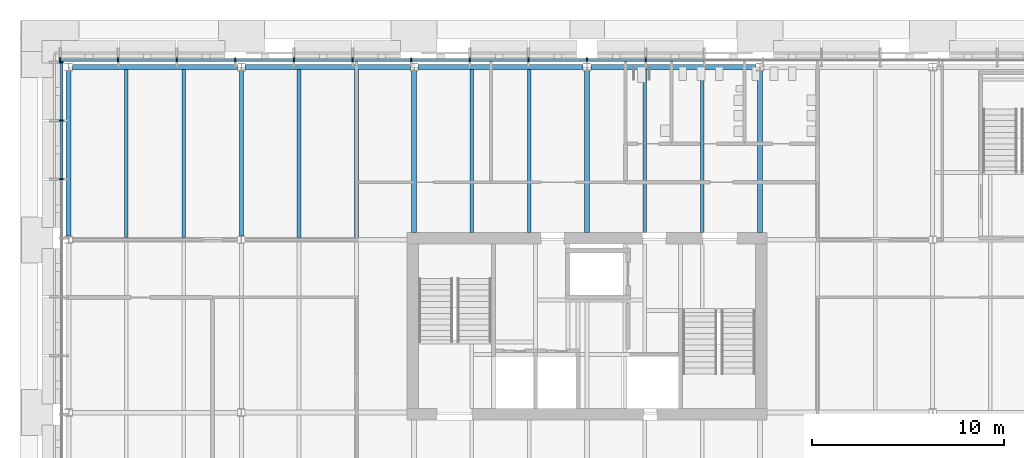
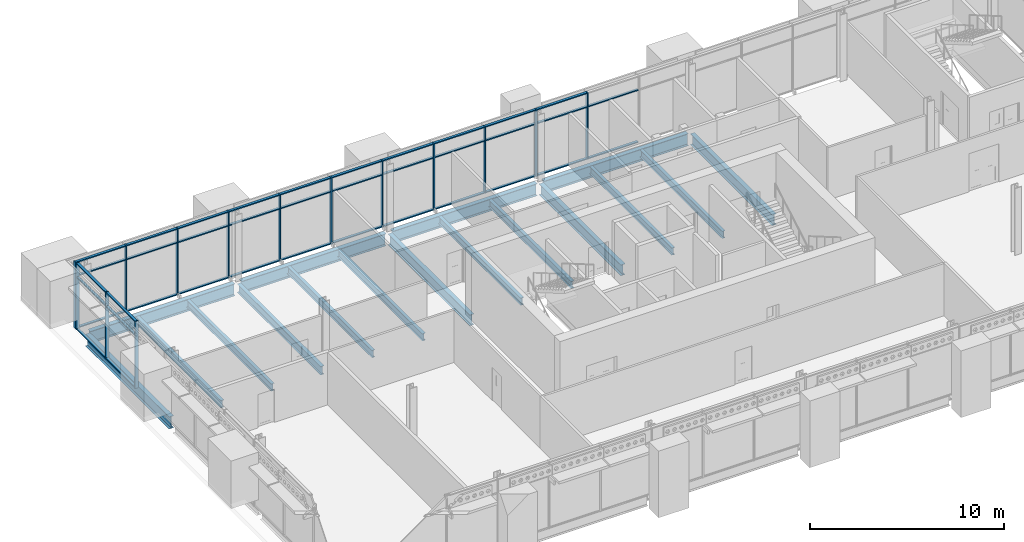
# One storey, part 86 of 153: 52 members, 17 beams, 2 elements without a shape of their own.
"""IFC4 building model written with IfcOpenShell, lengths in metres."""

import ifcopenshell
import ifcopenshell.guid

model = None  # the IFC model being written
_history = None  # IfcOwnerHistory: only IFC2X3 demands one
_inside = {}  # id of a spatial element -> (the spatial element, [elements in it])
_under = {}  # id of a project, library or spatial element -> (it, [spatial elements below it])
_declared = {}  # id of a project -> (the project, [libraries it declares])
_typed = {}  # id of a type object -> (the type object, [elements of that type])
_made_of = {}  # id of a material, layer set ... -> (it, [elements and type objects made of it])


def new_model(schema):
    """Start an empty IFC model of exactly this schema.

    Asked for "IFC4X3", IfcOpenShell would pick the latest addendum, in which some entities
    have other attributes; the version numbers below select the first issue.
    IFC2X3 requires an IfcOwnerHistory on every rooted entity: one is made here for all.
    """
    global model, _history
    if schema == "IFC4X3":
        model = ifcopenshell.file(schema_version=(4, 3, 0, 0))
    else:
        model = ifcopenshell.file(schema=schema)
    _inside.clear()
    _under.clear()
    _declared.clear()
    _typed.clear()
    _made_of.clear()
    _history = None
    if model.schema == "IFC2X3":
        org = make("IfcOrganization", Name="unknown")
        user = make(
            "IfcPersonAndOrganization",
            ThePerson=make("IfcPerson", FamilyName="unknown"),
            TheOrganization=org,
        )
        app = make(
            "IfcApplication",
            ApplicationDeveloper=org,
            Version="unknown",
            ApplicationFullName="unknown",
            ApplicationIdentifier="unknown",
        )
        _history = make(
            "IfcOwnerHistory",
            OwningUser=user,
            OwningApplication=app,
            ChangeAction="ADDED",
            CreationDate=0,
        )
    return model


def make(cls, **values):
    """One entity of the class cls with the attributes given. An attribute that is None is left unset."""
    return model.create_entity(
        cls, **{name: value for name, value in values.items() if value is not None}
    )


def rooted(cls, **values):
    """An entity with a GlobalId (a new one), such as an element, a storey or a relation."""
    return make(cls, GlobalId=ifcopenshell.guid.new(), OwnerHistory=_history, **values)


def si_unit(unit_type, name, prefix=None):
    """IfcSIUnit, for example si_unit("LENGTHUNIT", "METRE", prefix="MILLI")."""
    return make("IfcSIUnit", UnitType=unit_type, Prefix=prefix, Name=name)


def assignment(units):
    """IfcUnitAssignment: the units of a project."""
    return None if units is None else make("IfcUnitAssignment", Units=units)


def point(xyz):
    """IfcCartesianPoint."""
    return None if xyz is None else make("IfcCartesianPoint", Coordinates=xyz)


def direction(xyz):
    """IfcDirection."""
    return None if xyz is None else make("IfcDirection", DirectionRatios=xyz)


def frame(location, z_axis=None, x_axis=None):
    """IfcAxis2Placement3D, a coordinate frame: its origin and axes. An axis left out is left unset."""
    return make(
        "IfcAxis2Placement3D",
        Location=point(location),
        Axis=direction(z_axis),
        RefDirection=direction(x_axis),
    )


def frame_2d(location, x_axis=None):
    """IfcAxis2Placement2D, a coordinate frame in the plane: its origin and x axis."""
    return make(
        "IfcAxis2Placement2D", Location=point(location), RefDirection=direction(x_axis)
    )


def origin():
    """The frame at (0, 0, 0) with its axes left unset."""
    return frame((0.0, 0.0, 0.0))


def origin_2d():
    """The frame at (0, 0) in the plane with its x axis left unset."""
    return frame_2d((0.0, 0.0))


def place(relative_to, where):
    """IfcLocalPlacement: puts the frame where relative to a parent placement (None: the world)."""
    return make(
        "IfcLocalPlacement", PlacementRelTo=relative_to, RelativePlacement=where
    )


def context(
    kind, dimensions, precision=None, world=None, true_north=None, identifier=None
):
    """IfcGeometricRepresentationContext, for example the 3D "Model" context."""
    return make(
        "IfcGeometricRepresentationContext",
        ContextIdentifier=identifier,
        ContextType=kind,
        CoordinateSpaceDimension=dimensions,
        Precision=precision,
        WorldCoordinateSystem=world,
        TrueNorth=true_north,
    )


def subcontext(parent, identifier, kind, view, scale=None):
    """IfcGeometricRepresentationSubContext, for example "Body" below "Model"."""
    return make(
        "IfcGeometricRepresentationSubContext",
        ContextIdentifier=identifier,
        ContextType=kind,
        ParentContext=parent,
        TargetScale=scale,
        TargetView=view,
    )


def project(units=None, contexts=None):
    """IfcProject with its units and contexts."""
    return rooted(
        "IfcProject",
        Name="project",
        RepresentationContexts=contexts,
        UnitsInContext=assignment(units),
    )


def spatial(cls, under=None, at=None, **own):
    """A site, building, storey or space (cls), placed at a placement, below another one or the project."""
    s = rooted(cls, ObjectPlacement=at, **own)
    if under is not None:
        _under.setdefault(under.id(), (under, []))[1].append(s)
    return s


def profile(cls, at=None, kind="AREA", **sizes):
    """A parametric profile (cls). Its sizes go by their IFC names, for example OverallWidth=200.0."""
    return make(cls, ProfileType=kind, Position=at, **sizes)


def rectangle(**sizes):
    """IfcRectangleProfileDef."""
    return profile("IfcRectangleProfileDef", **sizes)


def i_section(**sizes):
    """IfcIShapeProfileDef."""
    return profile("IfcIShapeProfileDef", **sizes)


def extrude(swept, where, along, depth):
    """IfcExtrudedAreaSolid: the profile swept, set in the frame where, extruded along a direction by depth."""
    return make(
        "IfcExtrudedAreaSolid",
        SweptArea=swept,
        Position=where,
        ExtrudedDirection=direction(along),
        Depth=depth,
    )


def shape(context_of_items, identifier, shape_type, items):
    """IfcShapeRepresentation: the items that make up one representation, for example the "Body"."""
    return make(
        "IfcShapeRepresentation",
        ContextOfItems=context_of_items,
        RepresentationIdentifier=identifier,
        RepresentationType=shape_type,
        Items=items,
    )


def material(Name=None, Category=None):
    """IfcMaterial."""
    return make("IfcMaterial", Name=Name, Category=Category)


def material_profile(
    of_material, cross_section, Name=None, Category=None, Priority=None
):
    """IfcMaterialProfile: a cross section and its material."""
    return make(
        "IfcMaterialProfile",
        Name=Name,
        Material=of_material,
        Profile=cross_section,
        Priority=Priority,
        Category=Category,
    )


def profile_set(profiles, Name=None, composite=None):
    """IfcMaterialProfileSet."""
    return make(
        "IfcMaterialProfileSet",
        Name=Name,
        MaterialProfiles=profiles,
        CompositeProfile=composite,
    )


def made_of(thing, what):
    """Note that an element or type object is made of a material, layer set ...; save() writes the relation."""
    if what is not None:
        _made_of.setdefault(what.id(), (what, []))[1].append(thing)
    return thing


def type_object(cls, material=None, **own):
    """A type object (cls), such as IfcWallType, which elements share."""
    return made_of(rooted(cls, **own), material)


def element(
    cls,
    number,
    at=None,
    inside=None,
    cuts=None,
    type_object=None,
    material=None,
    context=None,
    identifier="Body",
    shape_type=None,
    held_by="IfcProductDefinitionShape",
    body=None,
    shapes=None,
    **own,
):
    """One element of the class cls, such as IfcWall. Its Tag is "e" and its number.

    at: its placement. inside: the storey or other place that contains it. cuts: it is an
    opening in that element (IfcRelVoidsElement). A single representation is given by context,
    identifier, shape_type and body (its items); several are given by shapes. held_by: the class
    of the entity that holds the representations. save() writes the other relations.
    """
    e = rooted(cls, Tag="e%d" % number, ObjectPlacement=at, **own)
    if body is not None:
        shapes = [shape(context, identifier, shape_type, body)]
    if shapes is not None:
        e.Representation = make(held_by, Representations=shapes)
    if inside is not None:
        _inside.setdefault(inside.id(), (inside, []))[1].append(e)
    if cuts is not None:
        rooted(
            "IfcRelVoidsElement", RelatingBuildingElement=cuts, RelatedOpeningElement=e
        )
    if type_object is not None:
        _typed.setdefault(type_object.id(), (type_object, []))[1].append(e)
    return made_of(e, material)


def aggregate(whole, parts):
    """IfcRelAggregates: a whole, such as a stair, and the parts it consists of."""
    return rooted("IfcRelAggregates", RelatingObject=whole, RelatedObjects=parts)


def save(model, path):
    """Write the relations noted so far, then the file.

    IfcRelAggregates (storeys below a building ...), IfcRelContainedInSpatialStructure (elements
    in a storey), IfcRelDefinesByType, IfcRelAssociatesMaterial and IfcRelDeclares: one each for
    every whole, place, type object, material and project.
    """
    for whole, parts in _under.values():
        aggregate(whole, parts)
    for where, things in _inside.values():
        rooted(
            "IfcRelContainedInSpatialStructure",
            RelatedElements=things,
            RelatingStructure=where,
        )
    for kind, things in _typed.values():
        rooted("IfcRelDefinesByType", RelatedObjects=things, RelatingType=kind)
    for what, things in _made_of.values():
        rooted("IfcRelAssociatesMaterial", RelatedObjects=things, RelatingMaterial=what)
    for by, libraries in _declared.values():
        rooted("IfcRelDeclares", RelatingContext=by, RelatedDefinitions=libraries)
    model.write(path)


model = new_model("IFC4")

# Units and contexts
model_context = context("Model", 3, precision=1e-05, world=origin(), true_north=direction((0.0, 1.0)))
body_context = subcontext(model_context, "Body", "Model", "MODEL_VIEW")
ifc_project = project(units=[si_unit("LENGTHUNIT", "METRE"), si_unit("AREAUNIT", "SQUARE_METRE"), si_unit("VOLUMEUNIT", "CUBIC_METRE"), si_unit("PLANEANGLEUNIT", "RADIAN"), si_unit("MASSUNIT", "GRAM", prefix="KILO")], contexts=[model_context])

# Site, building, storey
site_placement = place(None, origin())
site = spatial("IfcSite", under=ifc_project, at=site_placement, CompositionType="ELEMENT")
building_placement = place(site_placement, origin())
building = spatial("IfcBuilding", under=site, at=building_placement, Name="Baradari Gate Terminus", CompositionType="ELEMENT")
storey_placement = place(building_placement, frame((0.0, 0.0, 11.699951171875)))
storey = spatial("IfcBuildingStorey", under=building, at=storey_placement, Name="L02", CompositionType="ELEMENT", Elevation=11.699951171875)

# Curtain wall, members
ifc_material_1 = material(Name="Aluminium 6063-T6", Category="aluminium")
curtain_wall_type = type_object("IfcCurtainWallType", Name="Curtain wall CW-1 block unitised, zone L02-L05", PredefinedType="NOTDEFINED", material=ifc_material_1)
curtain_wall_1_placement = place(storey_placement, origin())
curtain_wall_1 = element("IfcCurtainWall", 1, at=curtain_wall_1_placement, inside=storey, type_object=curtain_wall_type, Name="Curtain wall CW-1 Operations block N face L02", PredefinedType="NOTDEFINED")
ifc_material_2 = material(Name="Aluminium 6063-T6", Category="aluminium")
ifc_material_profile_1 = material_profile(ifc_material_2, rectangle(XDim=0.199951171875, YDim=0.06494140625, at=origin_2d()), Name="CM-1 65X200")
ifc_profile_set_1 = profile_set([ifc_material_profile_1], Name="Aluminium 6063-T6")
member_type_1 = type_object("IfcMemberType", Name="Curtain wall mullion CM-1 65x200", PredefinedType="MULLION", material=ifc_profile_set_1)
member_1_placement = place(storey_placement, frame((8.5625, 144.3701171875, 0.0), z_axis=(0.0, 0.0, 1.0), x_axis=(0.0, 1.0, 0.0)))
member_1 = element("IfcMember", 2, at=member_1_placement, type_object=member_type_1, Name="CW-1 mullion 1", PredefinedType="MULLION", context=body_context, shape_type="SweptSolid", body=[
    extrude(rectangle(XDim=0.199951171875, YDim=0.06494140625, at=origin_2d()), origin(), (0.0, 0.0, 1.0), 4.199951171875),
])
member_2_placement = place(storey_placement, frame((11.582275390625, 144.3701171875, 0.0), z_axis=(0.0, 0.0, 1.0), x_axis=(0.0, 1.0, 0.0)))
member_2 = element("IfcMember", 3, at=member_2_placement, type_object=member_type_1, Name="CW-1 mullion 2", PredefinedType="MULLION", context=body_context, shape_type="SweptSolid", body=[
    extrude(rectangle(XDim=0.199951171875, YDim=0.06494140625, at=origin_2d()), origin(), (0.0, 0.0, 1.0), 4.199951171875),
])
member_3_placement = place(storey_placement, frame((14.634521484375, 144.3701171875, 0.0), z_axis=(0.0, 0.0, 1.0), x_axis=(0.0, 1.0, 0.0)))
member_3 = element("IfcMember", 4, at=member_3_placement, type_object=member_type_1, Name="CW-1 mullion 3", PredefinedType="MULLION", context=body_context, shape_type="SweptSolid", body=[
    extrude(rectangle(XDim=0.199951171875, YDim=0.06494140625, at=origin_2d()), origin(), (0.0, 0.0, 1.0), 4.199951171875),
])
member_4_placement = place(storey_placement, frame((17.686767578125, 144.3701171875, 0.0), z_axis=(0.0, 0.0, 1.0), x_axis=(0.0, 1.0, 0.0)))
member_4 = element("IfcMember", 5, at=member_4_placement, type_object=member_type_1, Name="CW-1 mullion 4", PredefinedType="MULLION", context=body_context, shape_type="SweptSolid", body=[
    extrude(rectangle(XDim=0.199951171875, YDim=0.06494140625, at=origin_2d()), origin(), (0.0, 0.0, 1.0), 4.199951171875),
])
member_5_placement = place(storey_placement, frame((20.73876953125, 144.3701171875, 0.0), z_axis=(0.0, 0.0, 1.0), x_axis=(0.0, 1.0, 0.0)))
member_5 = element("IfcMember", 6, at=member_5_placement, type_object=member_type_1, Name="CW-1 mullion 5", PredefinedType="MULLION", context=body_context, shape_type="SweptSolid", body=[
    extrude(rectangle(XDim=0.199951171875, YDim=0.06494140625, at=origin_2d()), origin(), (0.0, 0.0, 1.0), 4.199951171875),
])
member_6_placement = place(storey_placement, frame((23.791015625, 144.3701171875, 0.0), z_axis=(0.0, 0.0, 1.0), x_axis=(0.0, 1.0, 0.0)))
member_6 = element("IfcMember", 7, at=member_6_placement, type_object=member_type_1, Name="CW-1 mullion 6", PredefinedType="MULLION", context=body_context, shape_type="SweptSolid", body=[
    extrude(rectangle(XDim=0.199951171875, YDim=0.06494140625, at=origin_2d()), origin(), (0.0, 0.0, 1.0), 4.199951171875),
])
member_7_placement = place(storey_placement, frame((26.84326171875, 144.3701171875, 0.0), z_axis=(0.0, 0.0, 1.0), x_axis=(0.0, 1.0, 0.0)))
member_7 = element("IfcMember", 8, at=member_7_placement, type_object=member_type_1, Name="CW-1 mullion 7", PredefinedType="MULLION", context=body_context, shape_type="SweptSolid", body=[
    extrude(rectangle(XDim=0.199951171875, YDim=0.06494140625, at=origin_2d()), origin(), (0.0, 0.0, 1.0), 4.199951171875),
])
member_8_placement = place(storey_placement, frame((29.8955078125, 144.3701171875, 0.0), z_axis=(0.0, 0.0, 1.0), x_axis=(0.0, 1.0, 0.0)))
member_8 = element("IfcMember", 9, at=member_8_placement, type_object=member_type_1, Name="CW-1 mullion 8", PredefinedType="MULLION", context=body_context, shape_type="SweptSolid", body=[
    extrude(rectangle(XDim=0.199951171875, YDim=0.06494140625, at=origin_2d()), origin(), (0.0, 0.0, 1.0), 4.199951171875),
])
member_9_placement = place(storey_placement, frame((32.94775390625, 144.3701171875, 0.0), z_axis=(0.0, 0.0, 1.0), x_axis=(0.0, 1.0, 0.0)))
member_9 = element("IfcMember", 10, at=member_9_placement, type_object=member_type_1, Name="CW-1 mullion 9", PredefinedType="MULLION", context=body_context, shape_type="SweptSolid", body=[
    extrude(rectangle(XDim=0.199951171875, YDim=0.06494140625, at=origin_2d()), origin(), (0.0, 0.0, 1.0), 4.199951171875),
])
member_10_placement = place(storey_placement, frame((36.0, 144.3701171875, 0.0), z_axis=(0.0, 0.0, 1.0), x_axis=(0.0, 1.0, 0.0)))
member_10 = element("IfcMember", 11, at=member_10_placement, type_object=member_type_1, Name="CW-1 mullion 10", PredefinedType="MULLION", context=body_context, shape_type="SweptSolid", body=[
    extrude(rectangle(XDim=0.199951171875, YDim=0.06494140625, at=origin_2d()), origin(), (0.0, 0.0, 1.0), 4.199951171875),
])
member_11_placement = place(storey_placement, frame((39.05224609375, 144.3701171875, 0.0), z_axis=(0.0, 0.0, 1.0), x_axis=(0.0, 1.0, 0.0)))
member_11 = element("IfcMember", 12, at=member_11_placement, type_object=member_type_1, Name="CW-1 mullion 11", PredefinedType="MULLION", context=body_context, shape_type="SweptSolid", body=[
    extrude(rectangle(XDim=0.199951171875, YDim=0.06494140625, at=origin_2d()), origin(), (0.0, 0.0, 1.0), 4.199951171875),
])

curtain_wall_2_placement = place(storey_placement, origin())
curtain_wall_2 = element("IfcCurtainWall", 13, at=curtain_wall_2_placement, inside=storey, type_object=curtain_wall_type, Name="Curtain wall CW-1 Operations block W face L02", PredefinedType="NOTDEFINED")
member_12_placement = place(storey_placement, frame((8.6298828125, 138.14990234375, 0.0), z_axis=(0.0, 0.0, 1.0), x_axis=(-1.0, 0.0, 0.0)))
member_12 = element("IfcMember", 14, at=member_12_placement, type_object=member_type_1, Name="CW-1 mullion 8", PredefinedType="MULLION", context=body_context, shape_type="SweptSolid", body=[
    extrude(rectangle(XDim=0.199951171875, YDim=0.06494140625, at=origin_2d()), origin(), (0.0, 0.0, 1.0), 4.199951171875),
])
member_13_placement = place(storey_placement, frame((8.6298828125, 141.2099609375, 0.0), z_axis=(0.0, 0.0, 1.0), x_axis=(-1.0, 0.0, 0.0)))
member_13 = element("IfcMember", 15, at=member_13_placement, type_object=member_type_1, Name="CW-1 mullion 9", PredefinedType="MULLION", context=body_context, shape_type="SweptSolid", body=[
    extrude(rectangle(XDim=0.199951171875, YDim=0.06494140625, at=origin_2d()), origin(), (0.0, 0.0, 1.0), 4.199951171875),
])
member_14_placement = place(storey_placement, frame((8.6298828125, 144.237548828125, 0.0), z_axis=(0.0, 0.0, 1.0), x_axis=(-1.0, 0.0, 0.0)))
member_14 = element("IfcMember", 16, at=member_14_placement, type_object=member_type_1, Name="CW-1 mullion 10", PredefinedType="MULLION", context=body_context, shape_type="SweptSolid", body=[
    extrude(rectangle(XDim=0.199951171875, YDim=0.06494140625, at=origin_2d()), origin(), (0.0, 0.0, 1.0), 4.199951171875),
])

# Member
ifc_material_3 = material(Name="Aluminium 6063-T6", Category="aluminium")
ifc_material_profile_2 = material_profile(ifc_material_3, rectangle(XDim=0.14990234375, YDim=0.06494140625, at=origin_2d()), Name="CT-1 65X150")
ifc_profile_set_2 = profile_set([ifc_material_profile_2], Name="Aluminium 6063-T6")
member_type_2 = type_object("IfcMemberType", Name="Curtain wall transom CT-1 65x150", PredefinedType="USERDEFINED", material=ifc_profile_set_2)
member_15_placement = place(storey_placement, frame((8.594970703125, 144.3701171875, 0.032470703125), z_axis=(1.0, 0.0, 0.0), x_axis=(0.0, 1.0, 0.0)))
member_15 = element("IfcMember", 17, at=member_15_placement, type_object=member_type_2, Name="CW-1 transom 1.1", ObjectType="TRANSOM", PredefinedType="USERDEFINED", context=body_context, shape_type="SweptSolid", body=[
    extrude(rectangle(XDim=0.14990234375, YDim=0.06494140625, at=origin_2d()), origin(), (0.0, 0.0, 1.0), 2.954833984375),
])

member_16_placement = place(storey_placement, frame((8.594970703125, 144.3701171875, 3.300048828125), z_axis=(1.0, 0.0, 0.0), x_axis=(0.0, 1.0, 0.0)))
member_16 = element("IfcMember", 18, at=member_16_placement, type_object=member_type_2, Name="CW-1 transom 1.2", ObjectType="TRANSOM", PredefinedType="USERDEFINED", context=body_context, shape_type="SweptSolid", body=[
    extrude(rectangle(XDim=0.14990234375, YDim=0.06494140625, at=origin_2d()), origin(), (0.0, 0.0, 1.0), 2.954833984375),
])

member_17_placement = place(storey_placement, frame((8.594970703125, 144.3701171875, 4.16748046875), z_axis=(1.0, 0.0, 0.0), x_axis=(0.0, 1.0, 0.0)))
member_17 = element("IfcMember", 19, at=member_17_placement, type_object=member_type_2, Name="CW-1 transom 1.3", ObjectType="TRANSOM", PredefinedType="USERDEFINED", context=body_context, shape_type="SweptSolid", body=[
    extrude(rectangle(XDim=0.14990234375, YDim=0.06494140625, at=origin_2d()), origin(), (0.0, 0.0, 1.0), 2.954833984375),
])

member_18_placement = place(storey_placement, frame((11.61474609375, 144.3701171875, 0.032470703125), z_axis=(1.0, 0.0, 0.0), x_axis=(0.0, 1.0, 0.0)))
member_18 = element("IfcMember", 20, at=member_18_placement, type_object=member_type_2, Name="CW-1 transom 2.1", ObjectType="TRANSOM", PredefinedType="USERDEFINED", context=body_context, shape_type="SweptSolid", body=[
    extrude(rectangle(XDim=0.14990234375, YDim=0.06494140625, at=origin_2d()), origin(), (0.0, 0.0, 1.0), 2.9873046875),
])

member_19_placement = place(storey_placement, frame((11.61474609375, 144.3701171875, 3.300048828125), z_axis=(1.0, 0.0, 0.0), x_axis=(0.0, 1.0, 0.0)))
member_19 = element("IfcMember", 21, at=member_19_placement, type_object=member_type_2, Name="CW-1 transom 2.2", ObjectType="TRANSOM", PredefinedType="USERDEFINED", context=body_context, shape_type="SweptSolid", body=[
    extrude(rectangle(XDim=0.14990234375, YDim=0.06494140625, at=origin_2d()), origin(), (0.0, 0.0, 1.0), 2.9873046875),
])

member_20_placement = place(storey_placement, frame((11.61474609375, 144.3701171875, 4.16748046875), z_axis=(1.0, 0.0, 0.0), x_axis=(0.0, 1.0, 0.0)))
member_20 = element("IfcMember", 22, at=member_20_placement, type_object=member_type_2, Name="CW-1 transom 2.3", ObjectType="TRANSOM", PredefinedType="USERDEFINED", context=body_context, shape_type="SweptSolid", body=[
    extrude(rectangle(XDim=0.14990234375, YDim=0.06494140625, at=origin_2d()), origin(), (0.0, 0.0, 1.0), 2.9873046875),
])

member_21_placement = place(storey_placement, frame((14.6669921875, 144.3701171875, 0.032470703125), z_axis=(1.0, 0.0, 0.0), x_axis=(0.0, 1.0, 0.0)))
member_21 = element("IfcMember", 23, at=member_21_placement, type_object=member_type_2, Name="CW-1 transom 3.1", ObjectType="TRANSOM", PredefinedType="USERDEFINED", context=body_context, shape_type="SweptSolid", body=[
    extrude(rectangle(XDim=0.14990234375, YDim=0.06494140625, at=origin_2d()), origin(), (0.0, 0.0, 1.0), 2.987060546875),
])

member_22_placement = place(storey_placement, frame((14.6669921875, 144.3701171875, 3.300048828125), z_axis=(1.0, 0.0, 0.0), x_axis=(0.0, 1.0, 0.0)))
member_22 = element("IfcMember", 24, at=member_22_placement, type_object=member_type_2, Name="CW-1 transom 3.2", ObjectType="TRANSOM", PredefinedType="USERDEFINED", context=body_context, shape_type="SweptSolid", body=[
    extrude(rectangle(XDim=0.14990234375, YDim=0.06494140625, at=origin_2d()), origin(), (0.0, 0.0, 1.0), 2.987060546875),
])

member_23_placement = place(storey_placement, frame((14.6669921875, 144.3701171875, 4.16748046875), z_axis=(1.0, 0.0, 0.0), x_axis=(0.0, 1.0, 0.0)))
member_23 = element("IfcMember", 25, at=member_23_placement, type_object=member_type_2, Name="CW-1 transom 3.3", ObjectType="TRANSOM", PredefinedType="USERDEFINED", context=body_context, shape_type="SweptSolid", body=[
    extrude(rectangle(XDim=0.14990234375, YDim=0.06494140625, at=origin_2d()), origin(), (0.0, 0.0, 1.0), 2.987060546875),
])

member_24_placement = place(storey_placement, frame((17.71923828125, 144.3701171875, 0.032470703125), z_axis=(1.0, 0.0, 0.0), x_axis=(0.0, 1.0, 0.0)))
member_24 = element("IfcMember", 26, at=member_24_placement, type_object=member_type_2, Name="CW-1 transom 4.1", ObjectType="TRANSOM", PredefinedType="USERDEFINED", context=body_context, shape_type="SweptSolid", body=[
    extrude(rectangle(XDim=0.14990234375, YDim=0.06494140625, at=origin_2d()), origin(), (0.0, 0.0, 1.0), 2.987060546875),
])

member_25_placement = place(storey_placement, frame((17.71923828125, 144.3701171875, 3.300048828125), z_axis=(1.0, 0.0, 0.0), x_axis=(0.0, 1.0, 0.0)))
member_25 = element("IfcMember", 27, at=member_25_placement, type_object=member_type_2, Name="CW-1 transom 4.2", ObjectType="TRANSOM", PredefinedType="USERDEFINED", context=body_context, shape_type="SweptSolid", body=[
    extrude(rectangle(XDim=0.14990234375, YDim=0.06494140625, at=origin_2d()), origin(), (0.0, 0.0, 1.0), 2.987060546875),
])

member_26_placement = place(storey_placement, frame((17.71923828125, 144.3701171875, 4.16748046875), z_axis=(1.0, 0.0, 0.0), x_axis=(0.0, 1.0, 0.0)))
member_26 = element("IfcMember", 28, at=member_26_placement, type_object=member_type_2, Name="CW-1 transom 4.3", ObjectType="TRANSOM", PredefinedType="USERDEFINED", context=body_context, shape_type="SweptSolid", body=[
    extrude(rectangle(XDim=0.14990234375, YDim=0.06494140625, at=origin_2d()), origin(), (0.0, 0.0, 1.0), 2.987060546875),
])

member_27_placement = place(storey_placement, frame((20.771484375, 144.3701171875, 0.032470703125), z_axis=(1.0, 0.0, 0.0), x_axis=(0.0, 1.0, 0.0)))
member_27 = element("IfcMember", 29, at=member_27_placement, type_object=member_type_2, Name="CW-1 transom 5.1", ObjectType="TRANSOM", PredefinedType="USERDEFINED", context=body_context, shape_type="SweptSolid", body=[
    extrude(rectangle(XDim=0.14990234375, YDim=0.06494140625, at=origin_2d()), origin(), (0.0, 0.0, 1.0), 2.987060546875),
])

member_28_placement = place(storey_placement, frame((20.771484375, 144.3701171875, 3.300048828125), z_axis=(1.0, 0.0, 0.0), x_axis=(0.0, 1.0, 0.0)))
member_28 = element("IfcMember", 30, at=member_28_placement, type_object=member_type_2, Name="CW-1 transom 5.2", ObjectType="TRANSOM", PredefinedType="USERDEFINED", context=body_context, shape_type="SweptSolid", body=[
    extrude(rectangle(XDim=0.14990234375, YDim=0.06494140625, at=origin_2d()), origin(), (0.0, 0.0, 1.0), 2.987060546875),
])

member_29_placement = place(storey_placement, frame((20.771484375, 144.3701171875, 4.16748046875), z_axis=(1.0, 0.0, 0.0), x_axis=(0.0, 1.0, 0.0)))
member_29 = element("IfcMember", 31, at=member_29_placement, type_object=member_type_2, Name="CW-1 transom 5.3", ObjectType="TRANSOM", PredefinedType="USERDEFINED", context=body_context, shape_type="SweptSolid", body=[
    extrude(rectangle(XDim=0.14990234375, YDim=0.06494140625, at=origin_2d()), origin(), (0.0, 0.0, 1.0), 2.987060546875),
])

member_30_placement = place(storey_placement, frame((23.82373046875, 144.3701171875, 0.032470703125), z_axis=(1.0, 0.0, 0.0), x_axis=(0.0, 1.0, 0.0)))
member_30 = element("IfcMember", 32, at=member_30_placement, type_object=member_type_2, Name="CW-1 transom 6.1", ObjectType="TRANSOM", PredefinedType="USERDEFINED", context=body_context, shape_type="SweptSolid", body=[
    extrude(rectangle(XDim=0.14990234375, YDim=0.06494140625, at=origin_2d()), origin(), (0.0, 0.0, 1.0), 2.987060546875),
])

member_31_placement = place(storey_placement, frame((23.82373046875, 144.3701171875, 3.300048828125), z_axis=(1.0, 0.0, 0.0), x_axis=(0.0, 1.0, 0.0)))
member_31 = element("IfcMember", 33, at=member_31_placement, type_object=member_type_2, Name="CW-1 transom 6.2", ObjectType="TRANSOM", PredefinedType="USERDEFINED", context=body_context, shape_type="SweptSolid", body=[
    extrude(rectangle(XDim=0.14990234375, YDim=0.06494140625, at=origin_2d()), origin(), (0.0, 0.0, 1.0), 2.987060546875),
])

member_32_placement = place(storey_placement, frame((23.82373046875, 144.3701171875, 4.16748046875), z_axis=(1.0, 0.0, 0.0), x_axis=(0.0, 1.0, 0.0)))
member_32 = element("IfcMember", 34, at=member_32_placement, type_object=member_type_2, Name="CW-1 transom 6.3", ObjectType="TRANSOM", PredefinedType="USERDEFINED", context=body_context, shape_type="SweptSolid", body=[
    extrude(rectangle(XDim=0.14990234375, YDim=0.06494140625, at=origin_2d()), origin(), (0.0, 0.0, 1.0), 2.987060546875),
])

member_33_placement = place(storey_placement, frame((26.875732421875, 144.3701171875, 0.032470703125), z_axis=(1.0, 0.0, 0.0), x_axis=(0.0, 1.0, 0.0)))
member_33 = element("IfcMember", 35, at=member_33_placement, type_object=member_type_2, Name="CW-1 transom 7.1", ObjectType="TRANSOM", PredefinedType="USERDEFINED", context=body_context, shape_type="SweptSolid", body=[
    extrude(rectangle(XDim=0.14990234375, YDim=0.06494140625, at=origin_2d()), origin(), (0.0, 0.0, 1.0), 2.9873046875),
])

member_34_placement = place(storey_placement, frame((26.875732421875, 144.3701171875, 3.300048828125), z_axis=(1.0, 0.0, 0.0), x_axis=(0.0, 1.0, 0.0)))
member_34 = element("IfcMember", 36, at=member_34_placement, type_object=member_type_2, Name="CW-1 transom 7.2", ObjectType="TRANSOM", PredefinedType="USERDEFINED", context=body_context, shape_type="SweptSolid", body=[
    extrude(rectangle(XDim=0.14990234375, YDim=0.06494140625, at=origin_2d()), origin(), (0.0, 0.0, 1.0), 2.9873046875),
])

member_35_placement = place(storey_placement, frame((26.875732421875, 144.3701171875, 4.16748046875), z_axis=(1.0, 0.0, 0.0), x_axis=(0.0, 1.0, 0.0)))
member_35 = element("IfcMember", 37, at=member_35_placement, type_object=member_type_2, Name="CW-1 transom 7.3", ObjectType="TRANSOM", PredefinedType="USERDEFINED", context=body_context, shape_type="SweptSolid", body=[
    extrude(rectangle(XDim=0.14990234375, YDim=0.06494140625, at=origin_2d()), origin(), (0.0, 0.0, 1.0), 2.9873046875),
])

member_36_placement = place(storey_placement, frame((29.927978515625, 144.3701171875, 0.032470703125), z_axis=(1.0, 0.0, 0.0), x_axis=(0.0, 1.0, 0.0)))
member_36 = element("IfcMember", 38, at=member_36_placement, type_object=member_type_2, Name="CW-1 transom 8.1", ObjectType="TRANSOM", PredefinedType="USERDEFINED", context=body_context, shape_type="SweptSolid", body=[
    extrude(rectangle(XDim=0.14990234375, YDim=0.06494140625, at=origin_2d()), origin(), (0.0, 0.0, 1.0), 2.9873046875),
])

member_37_placement = place(storey_placement, frame((29.927978515625, 144.3701171875, 3.300048828125), z_axis=(1.0, 0.0, 0.0), x_axis=(0.0, 1.0, 0.0)))
member_37 = element("IfcMember", 39, at=member_37_placement, type_object=member_type_2, Name="CW-1 transom 8.2", ObjectType="TRANSOM", PredefinedType="USERDEFINED", context=body_context, shape_type="SweptSolid", body=[
    extrude(rectangle(XDim=0.14990234375, YDim=0.06494140625, at=origin_2d()), origin(), (0.0, 0.0, 1.0), 2.9873046875),
])

member_38_placement = place(storey_placement, frame((29.927978515625, 144.3701171875, 4.16748046875), z_axis=(1.0, 0.0, 0.0), x_axis=(0.0, 1.0, 0.0)))
member_38 = element("IfcMember", 40, at=member_38_placement, type_object=member_type_2, Name="CW-1 transom 8.3", ObjectType="TRANSOM", PredefinedType="USERDEFINED", context=body_context, shape_type="SweptSolid", body=[
    extrude(rectangle(XDim=0.14990234375, YDim=0.06494140625, at=origin_2d()), origin(), (0.0, 0.0, 1.0), 2.9873046875),
])

member_39_placement = place(storey_placement, frame((32.980224609375, 144.3701171875, 0.032470703125), z_axis=(1.0, 0.0, 0.0), x_axis=(0.0, 1.0, 0.0)))
member_39 = element("IfcMember", 41, at=member_39_placement, type_object=member_type_2, Name="CW-1 transom 9.1", ObjectType="TRANSOM", PredefinedType="USERDEFINED", context=body_context, shape_type="SweptSolid", body=[
    extrude(rectangle(XDim=0.14990234375, YDim=0.06494140625, at=origin_2d()), origin(), (0.0, 0.0, 1.0), 2.9873046875),
])

member_40_placement = place(storey_placement, frame((32.980224609375, 144.3701171875, 3.300048828125), z_axis=(1.0, 0.0, 0.0), x_axis=(0.0, 1.0, 0.0)))
member_40 = element("IfcMember", 42, at=member_40_placement, type_object=member_type_2, Name="CW-1 transom 9.2", ObjectType="TRANSOM", PredefinedType="USERDEFINED", context=body_context, shape_type="SweptSolid", body=[
    extrude(rectangle(XDim=0.14990234375, YDim=0.06494140625, at=origin_2d()), origin(), (0.0, 0.0, 1.0), 2.9873046875),
])

member_41_placement = place(storey_placement, frame((32.980224609375, 144.3701171875, 4.16748046875), z_axis=(1.0, 0.0, 0.0), x_axis=(0.0, 1.0, 0.0)))
member_41 = element("IfcMember", 43, at=member_41_placement, type_object=member_type_2, Name="CW-1 transom 9.3", ObjectType="TRANSOM", PredefinedType="USERDEFINED", context=body_context, shape_type="SweptSolid", body=[
    extrude(rectangle(XDim=0.14990234375, YDim=0.06494140625, at=origin_2d()), origin(), (0.0, 0.0, 1.0), 2.9873046875),
])

member_42_placement = place(storey_placement, frame((36.032470703125, 144.3701171875, 0.032470703125), z_axis=(1.0, 0.0, 0.0), x_axis=(0.0, 1.0, 0.0)))
member_42 = element("IfcMember", 44, at=member_42_placement, type_object=member_type_2, Name="CW-1 transom 10.1", ObjectType="TRANSOM", PredefinedType="USERDEFINED", context=body_context, shape_type="SweptSolid", body=[
    extrude(rectangle(XDim=0.14990234375, YDim=0.06494140625, at=origin_2d()), origin(), (0.0, 0.0, 1.0), 2.9873046875),
])

member_43_placement = place(storey_placement, frame((36.032470703125, 144.3701171875, 3.300048828125), z_axis=(1.0, 0.0, 0.0), x_axis=(0.0, 1.0, 0.0)))
member_43 = element("IfcMember", 45, at=member_43_placement, type_object=member_type_2, Name="CW-1 transom 10.2", ObjectType="TRANSOM", PredefinedType="USERDEFINED", context=body_context, shape_type="SweptSolid", body=[
    extrude(rectangle(XDim=0.14990234375, YDim=0.06494140625, at=origin_2d()), origin(), (0.0, 0.0, 1.0), 2.9873046875),
])

member_44_placement = place(storey_placement, frame((36.032470703125, 144.3701171875, 4.16748046875), z_axis=(1.0, 0.0, 0.0), x_axis=(0.0, 1.0, 0.0)))
member_44 = element("IfcMember", 46, at=member_44_placement, type_object=member_type_2, Name="CW-1 transom 10.3", ObjectType="TRANSOM", PredefinedType="USERDEFINED", context=body_context, shape_type="SweptSolid", body=[
    extrude(rectangle(XDim=0.14990234375, YDim=0.06494140625, at=origin_2d()), origin(), (0.0, 0.0, 1.0), 2.9873046875),
])

member_45_placement = place(storey_placement, frame((39.084716796875, 144.3701171875, 0.032470703125), z_axis=(1.0, 0.0, 0.0), x_axis=(0.0, 1.0, 0.0)))
member_45 = element("IfcMember", 47, at=member_45_placement, type_object=member_type_2, Name="CW-1 transom 11.1", ObjectType="TRANSOM", PredefinedType="USERDEFINED", context=body_context, shape_type="SweptSolid", body=[
    extrude(rectangle(XDim=0.14990234375, YDim=0.06494140625, at=origin_2d()), origin(), (0.0, 0.0, 1.0), 2.9873046875),
])

member_46_placement = place(storey_placement, frame((39.084716796875, 144.3701171875, 3.300048828125), z_axis=(1.0, 0.0, 0.0), x_axis=(0.0, 1.0, 0.0)))
member_46 = element("IfcMember", 48, at=member_46_placement, type_object=member_type_2, Name="CW-1 transom 11.2", ObjectType="TRANSOM", PredefinedType="USERDEFINED", context=body_context, shape_type="SweptSolid", body=[
    extrude(rectangle(XDim=0.14990234375, YDim=0.06494140625, at=origin_2d()), origin(), (0.0, 0.0, 1.0), 2.9873046875),
])

aggregate(curtain_wall_1, [member_1, member_2, member_3, member_4, member_5, member_6, member_7, member_8, member_9, member_10, member_11, member_15, member_16, member_17, member_18, member_19, member_20, member_21, member_22, member_23, member_24, member_25, member_26, member_27, member_28, member_29, member_30, member_31, member_32, member_33, member_34, member_35, member_36, member_37, member_38, member_39, member_40, member_41, member_42, member_43, member_44, member_45, member_46])

member_47_placement = place(storey_placement, frame((8.6298828125, 138.1826171875, 0.032470703125), z_axis=(0.0, 1.0, 0.0), x_axis=(-1.0, 0.0, 0.0)))
member_47 = element("IfcMember", 49, at=member_47_placement, type_object=member_type_2, Name="CW-1 transom 8.1", ObjectType="TRANSOM", PredefinedType="USERDEFINED", context=body_context, shape_type="SweptSolid", body=[
    extrude(rectangle(XDim=0.14990234375, YDim=0.06494140625, at=origin_2d()), origin(), (0.0, 0.0, 1.0), 2.994873046875),
])

member_48_placement = place(storey_placement, frame((8.6298828125, 138.1826171875, 3.300048828125), z_axis=(0.0, 1.0, 0.0), x_axis=(-1.0, 0.0, 0.0)))
member_48 = element("IfcMember", 50, at=member_48_placement, type_object=member_type_2, Name="CW-1 transom 8.2", ObjectType="TRANSOM", PredefinedType="USERDEFINED", context=body_context, shape_type="SweptSolid", body=[
    extrude(rectangle(XDim=0.14990234375, YDim=0.06494140625, at=origin_2d()), origin(), (0.0, 0.0, 1.0), 2.994873046875),
])

member_49_placement = place(storey_placement, frame((8.6298828125, 138.1826171875, 4.16748046875), z_axis=(0.0, 1.0, 0.0), x_axis=(-1.0, 0.0, 0.0)))
member_49 = element("IfcMember", 51, at=member_49_placement, type_object=member_type_2, Name="CW-1 transom 8.3", ObjectType="TRANSOM", PredefinedType="USERDEFINED", context=body_context, shape_type="SweptSolid", body=[
    extrude(rectangle(XDim=0.14990234375, YDim=0.06494140625, at=origin_2d()), origin(), (0.0, 0.0, 1.0), 2.994873046875),
])

member_50_placement = place(storey_placement, frame((8.6298828125, 141.242431640625, 0.032470703125), z_axis=(0.0, 1.0, 0.0), x_axis=(-1.0, 0.0, 0.0)))
member_50 = element("IfcMember", 52, at=member_50_placement, type_object=member_type_2, Name="CW-1 transom 9.1", ObjectType="TRANSOM", PredefinedType="USERDEFINED", context=body_context, shape_type="SweptSolid", body=[
    extrude(rectangle(XDim=0.14990234375, YDim=0.06494140625, at=origin_2d()), origin(), (0.0, 0.0, 1.0), 2.962646484375),
])

member_51_placement = place(storey_placement, frame((8.6298828125, 141.242431640625, 3.300048828125), z_axis=(0.0, 1.0, 0.0), x_axis=(-1.0, 0.0, 0.0)))
member_51 = element("IfcMember", 53, at=member_51_placement, type_object=member_type_2, Name="CW-1 transom 9.2", ObjectType="TRANSOM", PredefinedType="USERDEFINED", context=body_context, shape_type="SweptSolid", body=[
    extrude(rectangle(XDim=0.14990234375, YDim=0.06494140625, at=origin_2d()), origin(), (0.0, 0.0, 1.0), 2.962646484375),
])

member_52_placement = place(storey_placement, frame((8.6298828125, 141.242431640625, 4.16748046875), z_axis=(0.0, 1.0, 0.0), x_axis=(-1.0, 0.0, 0.0)))
member_52 = element("IfcMember", 54, at=member_52_placement, type_object=member_type_2, Name="CW-1 transom 9.3", ObjectType="TRANSOM", PredefinedType="USERDEFINED", context=body_context, shape_type="SweptSolid", body=[
    extrude(rectangle(XDim=0.14990234375, YDim=0.06494140625, at=origin_2d()), origin(), (0.0, 0.0, 1.0), 2.962646484375),
])

aggregate(curtain_wall_2, [member_12, member_13, member_14, member_47, member_48, member_49, member_50, member_51, member_52])

# Beams
ifc_material_4 = material(Name="Steel S355", Category="steel")
ifc_material_profile_3 = material_profile(ifc_material_4, i_section(OverallWidth=0.25439453125, OverallDepth=0.6875, WebThickness=0.01318359375, FlangeThickness=0.02099609375, FilletRadius=0.01513671875, at=origin_2d()), Name="UB 686x254x152")
ifc_profile_set_3 = profile_set([ifc_material_profile_3], Name="Steel S355")
beam_type_1 = type_object("IfcBeamType", Name="Operations block coupling beam B26 UB 686x254x152", PredefinedType="BEAM", material=ifc_profile_set_3)
for number, where, z_axis, x_axis, name in (
    (55, (27.0, 135.375, -0.4736328125), (0.0, 1.0, 0.0), (-1.0, 0.0, 0.0), "Operations block coupling beam B26 4:135.375-143.81 L02"),
    (56, (36.0, 135.375, -0.4736328125), (0.0, 1.0, 0.0), (-1.0, 0.0, 0.0), "Operations block coupling beam B26 5:135.375-143.81 L02"),
    (57, (45.0, 135.375, -0.4736328125), (0.0, 1.0, 0.0), (-1.0, 0.0, 0.0), "Operations block coupling beam B26 6:135.375-143.81 L02"),
):
    element("IfcBeam", number, at=place(storey_placement, frame(where, z_axis=z_axis, x_axis=x_axis)), inside=storey, type_object=beam_type_1, Name=name, PredefinedType="BEAM", context=body_context, shape_type="SweptSolid", body=[
        extrude(i_section(OverallWidth=0.25439453125, OverallDepth=0.6875, WebThickness=0.01318359375, FlangeThickness=0.02099609375, FilletRadius=0.01513671875, at=origin_2d()), origin(), (0.0, 0.0, 1.0), 8.4345703125),
    ])
ifc_material_5 = material(Name="Steel S355", Category="steel")
ifc_material_profile_4 = material_profile(ifc_material_5, i_section(OverallWidth=0.210693359375, OverallDepth=0.53955078125, WebThickness=0.01171875, FlangeThickness=0.018798828125, FilletRadius=0.0126953125, at=origin_2d()), Name="UB 533x210x109")
ifc_profile_set_4 = profile_set([ifc_material_profile_4], Name="Steel S355")
beam_type_2 = type_object("IfcBeamType", Name="Operations block girder B29 UB 533x210x109", PredefinedType="BEAM", material=ifc_profile_set_4)
beam_1_placement = place(storey_placement, frame((18.0, 135.203125, -0.399658203125), z_axis=(0.0, 1.0, 0.0), x_axis=(-1.0, 0.0, 0.0)))
element("IfcBeam", 58, at=beam_1_placement, inside=storey, type_object=beam_type_2, Name="Operations block girder B29 3:135.203-143.81 L02", PredefinedType="BEAM", context=body_context, shape_type="SweptSolid", body=[
    extrude(i_section(OverallWidth=0.210693359375, OverallDepth=0.53955078125, WebThickness=0.01171875, FlangeThickness=0.018798828125, FilletRadius=0.0126953125, at=origin_2d()), origin(), (0.0, 0.0, 1.0), 8.6064453125),
])
ifc_material_6 = material(Name="Steel S355", Category="steel")
ifc_material_profile_5 = material_profile(ifc_material_6, i_section(OverallWidth=0.2666015625, OverallDepth=0.76220703125, WebThickness=0.014404296875, FlangeThickness=0.021484375, FilletRadius=0.0166015625, at=origin_2d()), Name="UB 762x267x173")
ifc_profile_set_5 = profile_set([ifc_material_profile_5], Name="Steel S355")
beam_type_3 = type_object("IfcBeamType", Name="Operations block moment frame beam B24 UB 762x267x173", PredefinedType="BEAM", material=ifc_profile_set_5)
for number, where, z_axis, x_axis, name in (
    (59, (9.197509765625, 144.0, -0.510986328125), (1.0, 0.0, 0.0), (0.0, 1.0, 0.0), "Operations block moment frame beam B24 S:9.197-17.803 L02"),
    (60, (18.197509765625, 144.0, -0.510986328125), (1.0, 0.0, 0.0), (0.0, 1.0, 0.0), "Operations block moment frame beam B24 S:18.197-26.803 L02"),
    (61, (27.197509765625, 144.0, -0.510986328125), (1.0, 0.0, 0.0), (0.0, 1.0, 0.0), "Operations block moment frame beam B24 S:27.197-35.803 L02"),
    (62, (36.197509765625, 144.0, -0.510986328125), (1.0, 0.0, 0.0), (0.0, 1.0, 0.0), "Operations block moment frame beam B24 S:36.197-44.803 L02"),
):
    element("IfcBeam", number, at=place(storey_placement, frame(where, z_axis=z_axis, x_axis=x_axis)), inside=storey, type_object=beam_type_3, Name=name, PredefinedType="BEAM", context=body_context, shape_type="SweptSolid", body=[
        extrude(i_section(OverallWidth=0.2666015625, OverallDepth=0.76220703125, WebThickness=0.014404296875, FlangeThickness=0.021484375, FilletRadius=0.0166015625, at=origin_2d()), origin(), (0.0, 0.0, 1.0), 8.60498046875),
    ])
beam_2_placement = place(storey_placement, frame((9.0, 135.1904296875, -0.510986328125), z_axis=(0.0, 1.0, 0.0), x_axis=(-1.0, 0.0, 0.0)))
element("IfcBeam", 63, at=beam_2_placement, inside=storey, type_object=beam_type_3, Name="Operations block moment frame beam B24 2:135.19-143.81 L02", PredefinedType="BEAM", context=body_context, shape_type="SweptSolid", body=[
    extrude(i_section(OverallWidth=0.2666015625, OverallDepth=0.76220703125, WebThickness=0.014404296875, FlangeThickness=0.021484375, FilletRadius=0.0166015625, at=origin_2d()), origin(), (0.0, 0.0, 1.0), 8.619140625),
])
ifc_material_7 = material(Name="Steel S355", Category="steel")
ifc_material_profile_6 = material_profile(ifc_material_7, i_section(OverallWidth=0.18994140625, OverallDepth=0.453369140625, WebThickness=0.008544921875, FlangeThickness=0.0126953125, FilletRadius=0.01025390625, at=origin_2d()), Name="UB 457x191x67")
ifc_profile_set_6 = profile_set([ifc_material_profile_6], Name="Steel S355")
beam_type_4 = type_object("IfcBeamType", Name="Operations block secondary beam B28 UB 457x191x67", PredefinedType="BEAM", material=ifc_profile_set_6)
for number, where, z_axis, x_axis, name in (
    (64, (12.0, 135.114501953125, -0.356689453125), (0.0, 1.0, 0.0), (-1.0, 0.0, 0.0), "Operations block secondary beam B28 12:135.114-143.867 L02"),
    (65, (15.0, 135.114501953125, -0.356689453125), (0.0, 1.0, 0.0), (-1.0, 0.0, 0.0), "Operations block secondary beam B28 15:135.114-143.867 L02"),
):
    element("IfcBeam", number, at=place(storey_placement, frame(where, z_axis=z_axis, x_axis=x_axis)), inside=storey, type_object=beam_type_4, Name=name, PredefinedType="BEAM", context=body_context, shape_type="SweptSolid", body=[
        extrude(i_section(OverallWidth=0.18994140625, OverallDepth=0.453369140625, WebThickness=0.008544921875, FlangeThickness=0.0126953125, FilletRadius=0.01025390625, at=origin_2d()), origin(), (0.0, 0.0, 1.0), 8.752197265625),
    ])
for number, where, z_axis, x_axis, name in (
    (66, (21.0, 135.127197265625, -0.356689453125), (0.0, 1.0, 0.0), (-1.0, 0.0, 0.0), "Operations block secondary beam B28 21:135.127-143.867 L02"),
    (67, (24.0, 135.127197265625, -0.356689453125), (0.0, 1.0, 0.0), (-1.0, 0.0, 0.0), "Operations block secondary beam B28 24:135.127-143.867 L02"),
):
    element("IfcBeam", number, at=place(storey_placement, frame(where, z_axis=z_axis, x_axis=x_axis)), inside=storey, type_object=beam_type_4, Name=name, PredefinedType="BEAM", context=body_context, shape_type="SweptSolid", body=[
        extrude(i_section(OverallWidth=0.18994140625, OverallDepth=0.453369140625, WebThickness=0.008544921875, FlangeThickness=0.0126953125, FilletRadius=0.01025390625, at=origin_2d()), origin(), (0.0, 0.0, 1.0), 8.739501953125),
    ])
for number, where, z_axis, x_axis, name in (
    (68, (30.0, 135.375, -0.356689453125), (0.0, 1.0, 0.0), (-1.0, 0.0, 0.0), "Operations block secondary beam B28 30:135.375-143.867 L02"),
    (69, (33.0, 135.375, -0.356689453125), (0.0, 1.0, 0.0), (-1.0, 0.0, 0.0), "Operations block secondary beam B28 33:135.375-143.867 L02"),
    (70, (39.0, 135.375, -0.356689453125), (0.0, 1.0, 0.0), (-1.0, 0.0, 0.0), "Operations block secondary beam B28 39:135.375-143.867 L02"),
    (71, (42.0, 135.375, -0.356689453125), (0.0, 1.0, 0.0), (-1.0, 0.0, 0.0), "Operations block secondary beam B28 42:135.375-143.867 L02"),
):
    element("IfcBeam", number, at=place(storey_placement, frame(where, z_axis=z_axis, x_axis=x_axis)), inside=storey, type_object=beam_type_4, Name=name, PredefinedType="BEAM", context=body_context, shape_type="SweptSolid", body=[
        extrude(i_section(OverallWidth=0.18994140625, OverallDepth=0.453369140625, WebThickness=0.008544921875, FlangeThickness=0.0126953125, FilletRadius=0.01025390625, at=origin_2d()), origin(), (0.0, 0.0, 1.0), 8.49169921875),
    ])

save(model, "model.ifc")
